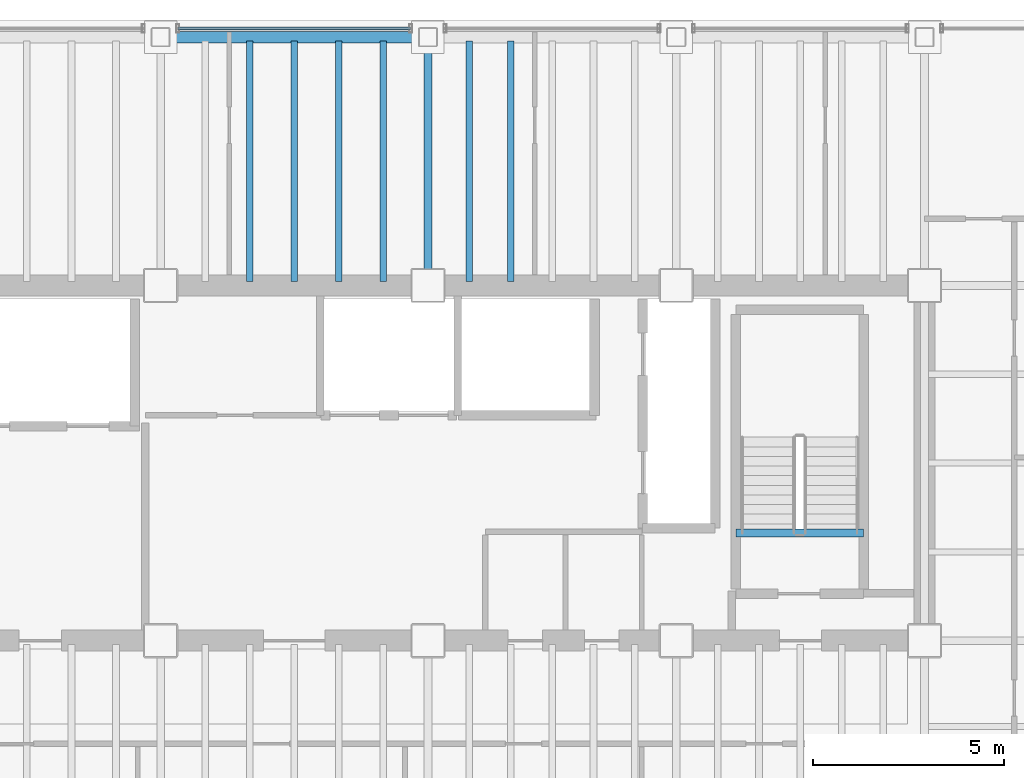
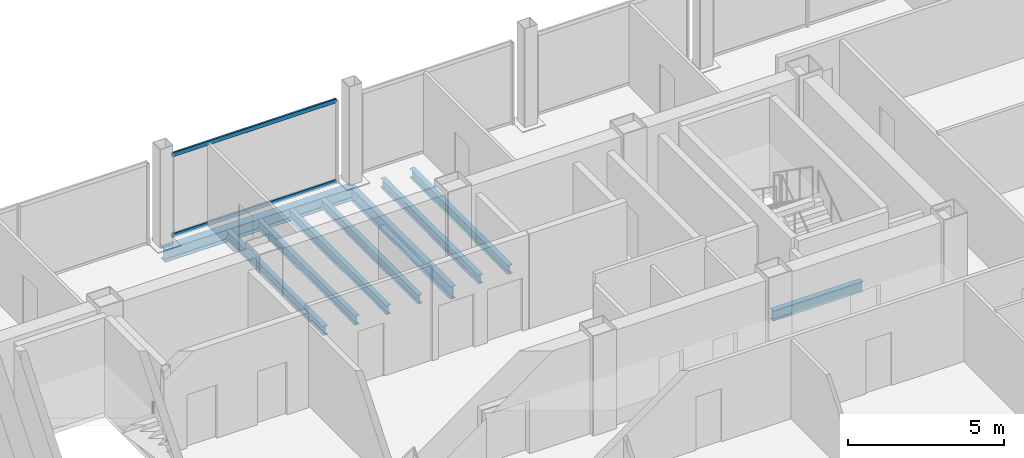
# One storey, part 8 of 15: 9 beams, 2 members, 1 element without a shape of its own.
"""IFC4 building model written with IfcOpenShell, lengths in metres."""

from ifc_helpers import new_model, si_unit, direction, frame, origin, origin_2d, place, context, subcontext, project, spatial, hollow_rectangle, i_section, extrude, material, material_profile, profile_set, type_object, element, aggregate, save


model = new_model("IFC4")

# Units and contexts
model_context = context("Model", 3, precision=1e-05, world=origin(), true_north=direction((0.0, 1.0)))
body_context = subcontext(model_context, "Body", "Model", "MODEL_VIEW")
ifc_project = project(units=[si_unit("LENGTHUNIT", "METRE"), si_unit("AREAUNIT", "SQUARE_METRE"), si_unit("VOLUMEUNIT", "CUBIC_METRE"), si_unit("PLANEANGLEUNIT", "RADIAN"), si_unit("MASSUNIT", "GRAM", prefix="KILO")], contexts=[model_context])

# Site, building, storey
site_placement = place(None, origin())
site = spatial("IfcSite", under=ifc_project, at=site_placement, CompositionType="ELEMENT")
building_placement = place(site_placement, origin())
building = spatial("IfcBuilding", under=site, at=building_placement, Name="Noeulbin Bourse Tower", CompositionType="ELEMENT")
storey_placement = place(building_placement, frame((0.0, 0.0, 173.39990234375)))
storey = spatial("IfcBuildingStorey", under=building, at=storey_placement, Name="L43", CompositionType="ELEMENT", Elevation=173.39990234375)

# Beams
ifc_material_1 = material(Name="Steel S355", Category="steel")
ifc_material_profile_1 = material_profile(ifc_material_1, i_section(OverallWidth=0.199951171875, OverallDepth=0.5, WebThickness=0.010009765625, FlangeThickness=0.01611328125, FilletRadius=0.02001953125, at=origin_2d()), Name="H-500x200x10x16", Category="LoadBearing")
ifc_profile_set_1 = profile_set([ifc_material_profile_1], Name="Steel S355")
beam_type_1 = type_object("IfcBeamType", Name="BM-GRD-500", PredefinedType="USERDEFINED", material=ifc_profile_set_1)
beam_1_placement = place(storey_placement, frame((31.0, 38.300048828125, -0.429931640625), z_axis=(0.0, 1.0, 0.0), x_axis=(-1.0, 0.0, 0.0)))
element("IfcBeam", 1, at=beam_1_placement, inside=storey, type_object=beam_type_1, Name="Tower Primary Girder NS L43-3.4", ObjectType="GIRDER", PredefinedType="USERDEFINED", context=body_context, shape_type="SweptSolid", body=[
    extrude(i_section(OverallWidth=0.199951171875, OverallDepth=0.5, WebThickness=0.010009765625, FlangeThickness=0.01611328125, FilletRadius=0.02001953125, at=origin_2d()), origin(), (0.0, 0.0, 1.0), 6.5),
])
ifc_material_profile_2 = material_profile(ifc_material_1, i_section(OverallWidth=0.175048828125, OverallDepth=0.35009765625, WebThickness=0.007080078125, FlangeThickness=0.010986328125, FilletRadius=0.013916015625, at=origin_2d()), Name="H-350x175x7x11", Category="LoadBearing")
ifc_profile_set_2 = profile_set([ifc_material_profile_2], Name="Steel S355")
beam_type_2 = type_object("IfcBeamType", Name="BM-JST-350", PredefinedType="JOIST", material=ifc_profile_set_2)
for number, where, z_axis, x_axis, name in (
    (2, (26.333251953125, 38.39990234375, -0.35498046875), (0.0, 1.0, 0.0), (-1.0, 0.0, 0.0), "Tower Composite Joist L43-29"),
    (3, (27.5, 38.39990234375, -0.35498046875), (0.0, 1.0, 0.0), (-1.0, 0.0, 0.0), "Tower Composite Joist L43-31"),
    (4, (28.666748046875, 38.39990234375, -0.35498046875), (0.0, 1.0, 0.0), (-1.0, 0.0, 0.0), "Tower Composite Joist L43-33"),
    (5, (29.833251953125, 38.39990234375, -0.35498046875), (0.0, 1.0, 0.0), (-1.0, 0.0, 0.0), "Tower Composite Joist L43-36"),
    (6, (32.083251953125, 38.39990234375, -0.35498046875), (0.0, 1.0, 0.0), (-1.0, 0.0, 0.0), "Tower Composite Joist L43-39"),
    (7, (33.166748046875, 38.39990234375, -0.35498046875), (0.0, 1.0, 0.0), (-1.0, 0.0, 0.0), "Tower Composite Joist L43-42"),
):
    element("IfcBeam", number, at=place(storey_placement, frame(where, z_axis=z_axis, x_axis=x_axis)), inside=storey, type_object=beam_type_2, Name=name, PredefinedType="JOIST", context=body_context, shape_type="SweptSolid", body=[
        extrude(i_section(OverallWidth=0.175048828125, OverallDepth=0.35009765625, WebThickness=0.007080078125, FlangeThickness=0.010986328125, FilletRadius=0.013916015625, at=origin_2d()), origin(), (0.0, 0.0, 1.0), 6.300048828125),
    ])
ifc_material_profile_3 = material_profile(ifc_material_1, i_section(OverallWidth=0.199951171875, OverallDepth=0.39990234375, WebThickness=0.008056640625, FlangeThickness=0.012939453125, FilletRadius=0.01611328125, at=origin_2d()), Name="H-400x200x8x13", Category="LoadBearing")
ifc_profile_set_3 = profile_set([ifc_material_profile_3], Name="Steel S355")
beam_type_3 = type_object("IfcBeamType", Name="BM-SEC-400", PredefinedType="BEAM", material=ifc_profile_set_3)
beam_2_placement = place(storey_placement, frame((39.06005859375, 31.820068359375, -0.199951171875), z_axis=(1.0, 0.0, 0.0), x_axis=(0.0, 1.0, 0.0)))
element("IfcBeam", 8, at=beam_2_placement, inside=storey, type_object=beam_type_3, Name="Stair Threshold Trimmer Beam ST2-L43", PredefinedType="BEAM", context=body_context, shape_type="SweptSolid", body=[
    extrude(i_section(OverallWidth=0.199951171875, OverallDepth=0.39990234375, WebThickness=0.008056640625, FlangeThickness=0.012939453125, FilletRadius=0.01611328125, at=origin_2d()), origin(), (0.0, 0.0, 1.0), 3.33984375),
])
ifc_material_profile_4 = material_profile(ifc_material_1, i_section(OverallWidth=0.300048828125, OverallDepth=0.488037109375, WebThickness=0.010986328125, FlangeThickness=0.01806640625, FilletRadius=0.02197265625, at=origin_2d()), Name="H-488x300x11x18", Category="LoadBearing")
ifc_profile_set_4 = profile_set([ifc_material_profile_4], Name="Steel S355")
beam_type_4 = type_object("IfcBeamType", Name="BM-SPN-488", PredefinedType="SPANDREL", material=ifc_profile_set_4)
beam_3_placement = place(storey_placement, frame((24.0, 44.800048828125, -0.423828125), z_axis=(1.0, 0.0, 0.0), x_axis=(0.0, 1.0, 0.0)))
element("IfcBeam", 9, at=beam_3_placement, inside=storey, type_object=beam_type_4, Name="North Spandrel L43-2", PredefinedType="SPANDREL", context=body_context, shape_type="SweptSolid", body=[
    extrude(i_section(OverallWidth=0.300048828125, OverallDepth=0.488037109375, WebThickness=0.010986328125, FlangeThickness=0.01806640625, FilletRadius=0.02197265625, at=origin_2d()), origin(), (0.0, 0.0, 1.0), 7.0),
])

# Curtain wall, members
ifc_material_2 = material(Name="Dark Tinted Triple Glazing", Category="glass")
curtain_wall_type = type_object("IfcCurtainWallType", Name="CW-SYS-3", PredefinedType="NOTDEFINED", material=ifc_material_2)
curtain_wall_placement = place(storey_placement, origin())
curtain_wall = element("IfcCurtainWall", 10, at=curtain_wall_placement, inside=storey, type_object=curtain_wall_type, Name="Unitised Curtain Wall CW-L43-N-S2", PredefinedType="NOTDEFINED")
ifc_material_3 = material(Name="Anodised Aluminium 6063-T6", Category="aluminium")
ifc_material_profile_5 = material_profile(ifc_material_3, hollow_rectangle(XDim=0.074951171875, YDim=0.159912109375, WallThickness=0.0048828125, InnerFilletRadius=0.00244140625, OuterFilletRadius=0.0048828125, at=origin_2d()), Name="ALU-TRAN-75x160x5", Category="LoadBearing")
ifc_profile_set_5 = profile_set([ifc_material_profile_5], Name="Anodised Aluminium 6063-T6")
member_type = type_object("IfcMemberType", Name="CW-SYS-3-TRN", PredefinedType="USERDEFINED", material=ifc_profile_set_5)
member_1_placement = place(storey_placement, frame((24.4599609375, 45.030029296875, 0.010009765625), z_axis=(1.0, 0.0, 0.0), x_axis=(0.0, 1.0, 0.0)))
member_1 = element("IfcMember", 11, at=member_1_placement, type_object=member_type, Name="Curtain Wall Transom CW-L43-N-S2-T00", ObjectType="TRANSOM", PredefinedType="USERDEFINED", context=body_context, shape_type="SweptSolid", body=[
    extrude(hollow_rectangle(XDim=0.074951171875, YDim=0.159912109375, WallThickness=0.0048828125, InnerFilletRadius=0.00244140625, OuterFilletRadius=0.0048828125, at=origin_2d()), origin(), (0.0, 0.0, 1.0), 6.080078125),
])
member_2_placement = place(storey_placement, frame((24.4599609375, 45.030029296875, 3.170166015625), z_axis=(1.0, 0.0, 0.0), x_axis=(0.0, 1.0, 0.0)))
member_2 = element("IfcMember", 12, at=member_2_placement, type_object=member_type, Name="Curtain Wall Transom CW-L43-N-S2-T01", ObjectType="TRANSOM", PredefinedType="USERDEFINED", context=body_context, shape_type="SweptSolid", body=[
    extrude(hollow_rectangle(XDim=0.074951171875, YDim=0.159912109375, WallThickness=0.0048828125, InnerFilletRadius=0.00244140625, OuterFilletRadius=0.0048828125, at=origin_2d()), origin(), (0.0, 0.0, 1.0), 6.080078125),
])
aggregate(curtain_wall, [member_1, member_2])

save(model, "model.ifc")
